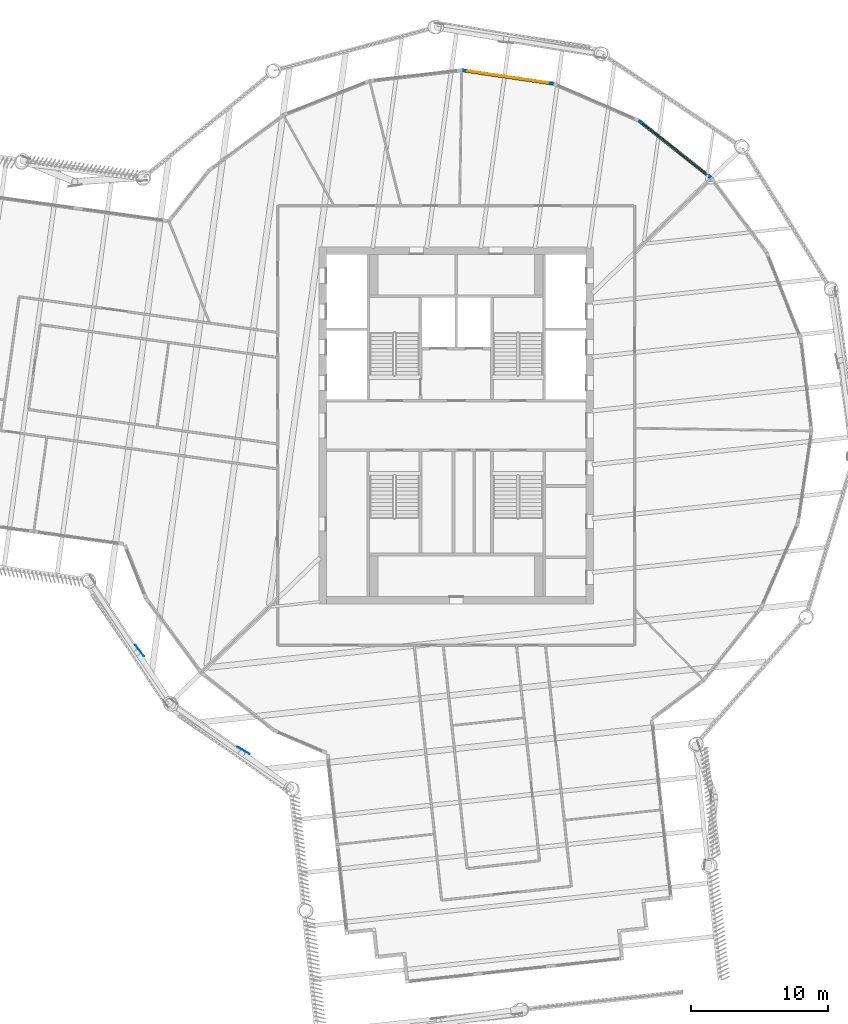
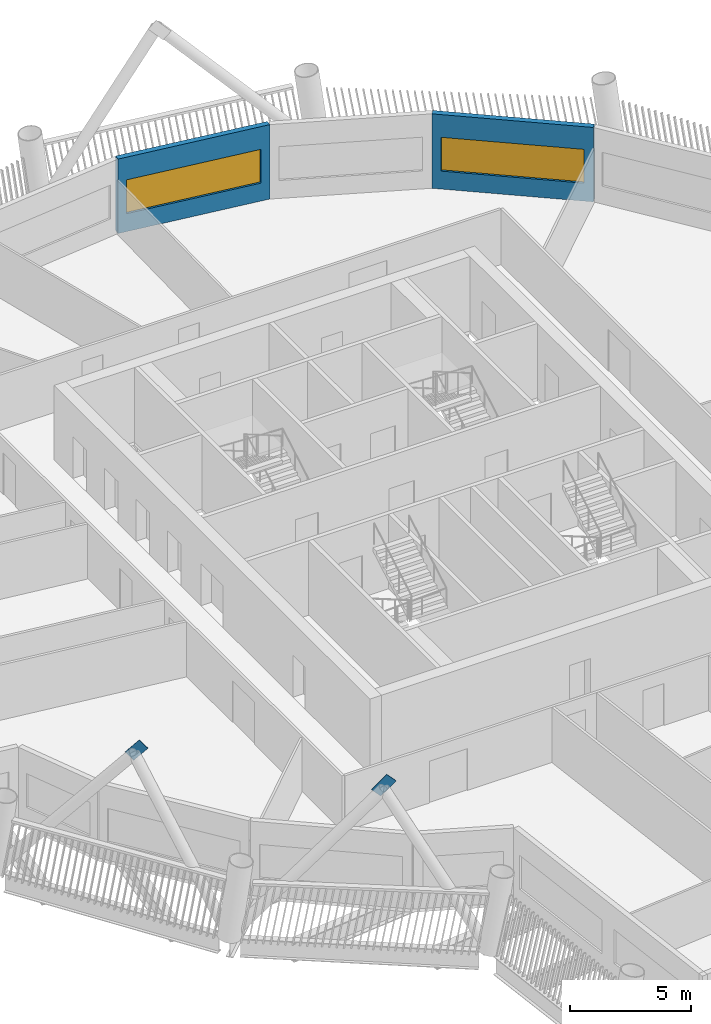
# One storey, part 7 of 21: 2 discrete accessories, 2 walls, 2 windows, 2 openings.
"""IFC4 building model written with IfcOpenShell, lengths in metres."""

from ifc_helpers import new_model, si_unit, direction, frame, frame_2d, origin, origin_2d, place, context, subcontext, project, spatial, rectangle, extrude, material, layer, layer_set, material_profile, profile_set, type_object, element, fill, save


model = new_model("IFC4")

# Units and contexts
model_context = context("Model", 3, precision=1e-05, world=origin(), true_north=direction((0.0, 1.0)))
body_context = subcontext(model_context, "Body", "Model", "MODEL_VIEW")
ifc_project = project(units=[si_unit("LENGTHUNIT", "METRE"), si_unit("AREAUNIT", "SQUARE_METRE"), si_unit("VOLUMEUNIT", "CUBIC_METRE"), si_unit("PLANEANGLEUNIT", "RADIAN"), si_unit("MASSUNIT", "GRAM", prefix="KILO")], contexts=[model_context])

# Site, building, storey
site_placement = place(None, origin())
site = spatial("IfcSite", under=ifc_project, at=site_placement, CompositionType="ELEMENT")
building_placement = place(site_placement, origin())
building = spatial("IfcBuilding", under=site, at=building_placement, Name="Tarsis Ring Headquarters", CompositionType="ELEMENT")
storey_placement = place(building_placement, frame((0.0, 0.0, 255.199951171875)))
storey = spatial("IfcBuildingStorey", under=building, at=storey_placement, Name="L59", CompositionType="ELEMENT", Elevation=255.199951171875)

# Wall, opening, window
ifc_material_1 = material(Name="Terracotta clad insulated panel wall", Category="masonry")
ifc_layer = layer(ifc_material_1, 0.25)
ifc_layer_set = layer_set([ifc_layer], Name="Facade wall terracotta panel 250")
wall_type = type_object("IfcWallType", Name="Facade wall terracotta panel 250", PredefinedType="STANDARD", material=ifc_layer_set)
wall_1_placement = place(storey_placement, frame((18.5615234375, 18.022705078125, 0.0), z_axis=(0.0, 0.0, 1.0), x_axis=(-0.783917650844, 0.620864813543, 0.0)))
wall_1 = element("IfcWall", 1, at=wall_1_placement, inside=storey, type_object=wall_type, Name="External wall L59-24", PredefinedType="STANDARD", context=body_context, shape_type="SweptSolid", body=[
    extrude(rectangle(XDim=6.721435546875, YDim=0.25, at=frame_2d((3.36083984375, 0.0))), origin(), (0.0, 0.0, 1.0), 3.739990234375),
])
opening_1_placement = place(wall_1_placement, frame((0.3857421875, 0.0, 0.89990234375)))
opening_1 = element("IfcOpeningElement", 2, at=opening_1_placement, cuts=wall_1, Name="Opening WN07", PredefinedType="OPENING", context=body_context, shape_type="SweptSolid", body=[
    extrude(rectangle(XDim=5.949951171875, YDim=1.699951171875, at=frame_2d((2.97509765625, 0.85009765625))), frame((0.0, 0.135009765625, 0.0), z_axis=(0.0, -1.0, 0.0), x_axis=(1.0, 0.0, 0.0)), (0.0, 0.0, 1.0), 0.27001953125),
])
ifc_material_2 = material(Name="Aluminium framed double glazing", Category="aluminium")
window_type = type_object("IfcWindowType", Name="Facade window 5950 x 1700", PartitioningType="SINGLE_PANEL", PredefinedType="WINDOW", material=ifc_material_2)
window_1_placement = place(opening_1_placement, origin())
window_1 = element("IfcWindow", 3, at=window_1_placement, inside=storey, type_object=window_type, Name="Window L59-24.1", OverallHeight=1.699951171875, OverallWidth=5.949951171875, PartitioningType="SINGLE_PANEL", PredefinedType="WINDOW", context=body_context, shape_type="SweptSolid", body=[
    extrude(rectangle(XDim=5.949951171875, YDim=1.699951171875, at=frame_2d((2.97509765625, 0.85009765625))), frame((0.0, 0.030029296875, 0.0), z_axis=(0.0, -1.0, 0.0), x_axis=(1.0, 0.0, 0.0)), (0.0, 0.0, 1.0), 0.06005859375),
])
fill(opening_1, window_1)

wall_2_placement = place(storey_placement, frame((7.0634765625, 24.888916015625, 0.0), z_axis=(0.0, 0.0, 1.0), x_axis=(-0.989325586277, 0.145721941851, 0.0)))
wall_2 = element("IfcWall", 4, at=wall_2_placement, inside=storey, type_object=wall_type, Name="External wall L59-26", PredefinedType="STANDARD", context=body_context, shape_type="SweptSolid", body=[
    extrude(rectangle(XDim=6.7216796875, YDim=0.25, at=frame_2d((3.36083984375, 0.0))), origin(), (0.0, 0.0, 1.0), 3.739990234375),
])
opening_2_placement = place(wall_2_placement, frame((0.3857421875, 0.0, 0.89990234375)))
opening_2 = element("IfcOpeningElement", 5, at=opening_2_placement, cuts=wall_2, Name="Opening WN07", PredefinedType="OPENING", context=body_context, shape_type="SweptSolid", body=[
    extrude(rectangle(XDim=5.949951171875, YDim=1.699951171875, at=frame_2d((2.97509765625, 0.85009765625))), frame((0.0, 0.135009765625, 0.0), z_axis=(0.0, -1.0, 0.0), x_axis=(1.0, 0.0, 0.0)), (0.0, 0.0, 1.0), 0.27001953125),
])
window_2_placement = place(opening_2_placement, origin())
window_2 = element("IfcWindow", 6, at=window_2_placement, inside=storey, type_object=window_type, Name="Window L59-26.1", OverallHeight=1.699951171875, OverallWidth=5.949951171875, PartitioningType="SINGLE_PANEL", PredefinedType="WINDOW", context=body_context, shape_type="SweptSolid", body=[
    extrude(rectangle(XDim=5.949951171875, YDim=1.699951171875, at=frame_2d((2.97509765625, 0.85009765625))), frame((0.0, 0.030029296875, 0.0), z_axis=(0.0, -1.0, 0.0), x_axis=(1.0, 0.0, 0.0)), (0.0, 0.0, 1.0), 0.06005859375),
])
fill(opening_2, window_2)

# Discrete accessories
ifc_material_3 = material(Name="Structural steel S355", Category="steel")
ifc_material_profile = material_profile(ifc_material_3, rectangle(XDim=0.02490234375, YDim=0.5, at=origin_2d()), Name="PL 25x500")
ifc_profile_set = profile_set([ifc_material_profile], Name="Structural steel S355")
discrete_accessory_type = type_object("IfcDiscreteAccessoryType", Name="Gusset plate Exo brace 25", PredefinedType="BRACKET", material=ifc_profile_set)
discrete_accessory_1_placement = place(storey_placement, frame((-15.759765625, -23.494384765625, 7.4130859375), z_axis=(0.540808394357, -0.329368182387, 0.773978605017), x_axis=(0.520154881754, 0.85407195188, 0.0)))
element("IfcDiscreteAccessory", 7, at=discrete_accessory_1_placement, inside=storey, type_object=discrete_accessory_type, Name="Gusset plate GP5", PredefinedType="BRACKET", context=body_context, shape_type="SweptSolid", body=[
    extrude(rectangle(XDim=0.02490234375, YDim=0.5, at=origin_2d()), origin(), (0.0, 0.0, 1.0), 1.0),
])
discrete_accessory_2_placement = place(storey_placement, frame((-23.2373046875, -16.136474609375, 7.4130859375), z_axis=(0.383594151211, -0.503726756174, 0.774025117339), x_axis=(0.795582190466, 0.605845671945, 0.0)))
element("IfcDiscreteAccessory", 8, at=discrete_accessory_2_placement, inside=storey, type_object=discrete_accessory_type, Name="Gusset plate GP5", PredefinedType="BRACKET", context=body_context, shape_type="SweptSolid", body=[
    extrude(rectangle(XDim=0.02490234375, YDim=0.5, at=origin_2d()), origin(), (0.0, 0.0, 1.0), 0.999755859375),
])

save(model, "model.ifc")
